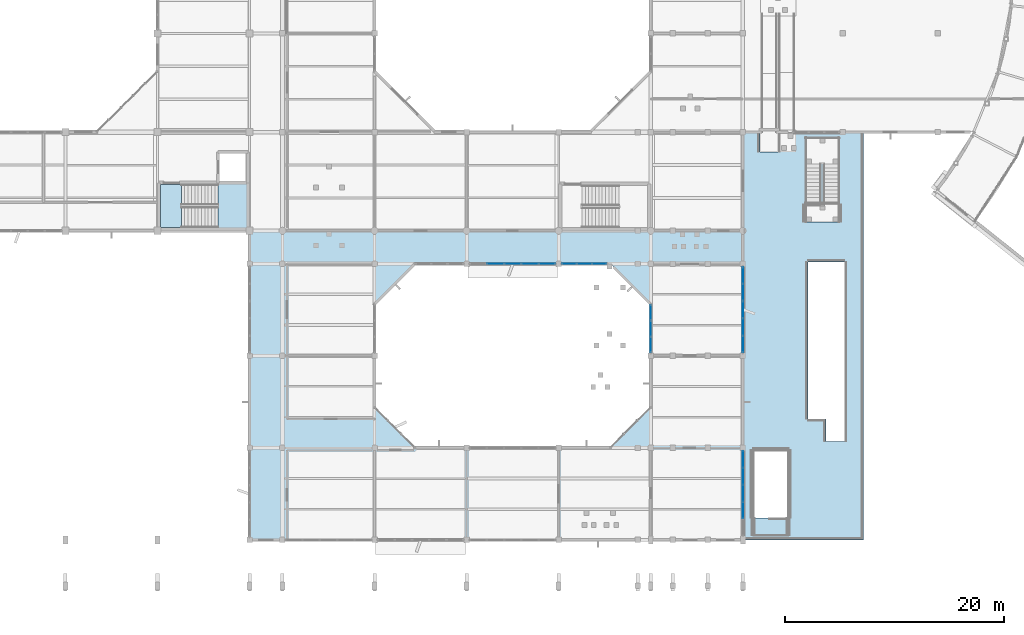
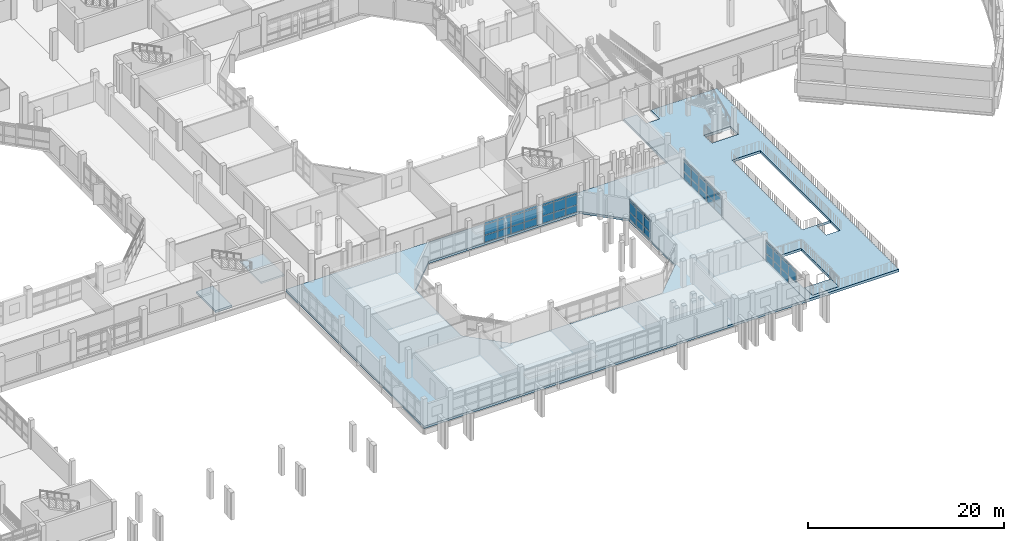
# One storey, part 55 of 104: 56 plates, 5 slabs, 6 elements without a shape of their own.
"""IFC4 building model written with IfcOpenShell, lengths in metres."""

from ifc_helpers import new_model, si_unit, direction, frame, origin, origin_2d, place, context, subcontext, project, spatial, polyline, rectangle, outline, extrude, material, layer, layer_set, type_object, element, aggregate, save


model = new_model("IFC4")

# Units and contexts
model_context = context("Model", 3, precision=1e-05, world=origin(), true_north=direction((0.0, 1.0)))
body_context = subcontext(model_context, "Body", "Model", "MODEL_VIEW")
ifc_project = project(units=[si_unit("LENGTHUNIT", "METRE"), si_unit("AREAUNIT", "SQUARE_METRE"), si_unit("VOLUMEUNIT", "CUBIC_METRE"), si_unit("PLANEANGLEUNIT", "RADIAN"), si_unit("MASSUNIT", "GRAM", prefix="KILO")], contexts=[model_context])

# Site, building, storey
site_placement = place(None, origin())
site = spatial("IfcSite", under=ifc_project, at=site_placement, CompositionType="ELEMENT")
building_placement = place(site_placement, origin())
building = spatial("IfcBuilding", under=site, at=building_placement, Name="Vanh Quang Courtyard School", CompositionType="ELEMENT")
storey_placement = place(building_placement, frame((0.0, 0.0, 4.199951171875)))
storey = spatial("IfcBuildingStorey", under=building, at=storey_placement, Name="L01", CompositionType="ELEMENT", Elevation=4.199951171875)

# Curtain wall, plates
ifc_material_1 = material(Name="Thermally broken aluminium unitised curtain wall", Category="aluminium")
curtain_wall_type_1 = type_object("IfcCurtainWallType", Name="CW-SYS-24", PredefinedType="NOTDEFINED", material=ifc_material_1)
curtain_wall_1_placement = place(storey_placement, origin())
curtain_wall_1 = element("IfcCurtainWall", 1, at=curtain_wall_1_placement, inside=storey, type_object=curtain_wall_type_1, Name="Curtain Wall CW-24 (L01)", PredefinedType="NOTDEFINED")
ifc_material_2 = material(Name="Low-E laminated double glazing", Category="glass")
ifc_layer_1 = layer(ifc_material_2, 0.028076171875)
ifc_layer_set_1 = layer_set([ifc_layer_1], Name="Low-E laminated double glazing")
plate_type_1 = type_object("IfcPlateType", Name="CW-PNL-28", PredefinedType="CURTAIN_PANEL", material=ifc_layer_set_1)
plate_1_placement = place(storey_placement, frame((119.39990234375, 11.551025390625, 0.06005859375), z_axis=(0.0, 0.0, 1.0), x_axis=(0.0, -1.0, 0.0)))
plate_1 = element("IfcPlate", 2, at=plate_1_placement, type_object=plate_type_1, Name="CW-24 panel 1.1", PredefinedType="CURTAIN_PANEL", context=body_context, shape_type="SweptSolid", body=[
    extrude(rectangle(XDim=1.4619140625, YDim=0.028076171875, at=origin_2d()), origin(), (0.0, 0.0, 1.0), 0.860107421875),
])
plate_2_placement = place(storey_placement, frame((119.39990234375, 11.551025390625, 0.97998046875), z_axis=(0.0, 0.0, 1.0), x_axis=(0.0, -1.0, 0.0)))
plate_2 = element("IfcPlate", 3, at=plate_2_placement, type_object=plate_type_1, Name="CW-24 panel 1.2", PredefinedType="CURTAIN_PANEL", context=body_context, shape_type="SweptSolid", body=[
    extrude(rectangle(XDim=1.4619140625, YDim=0.028076171875, at=origin_2d()), origin(), (0.0, 0.0, 1.0), 1.239990234375),
])
plate_3_placement = place(storey_placement, frame((119.39990234375, 11.551025390625, 2.2802734375), z_axis=(0.0, 0.0, 1.0), x_axis=(0.0, -1.0, 0.0)))
plate_3 = element("IfcPlate", 4, at=plate_3_placement, type_object=plate_type_1, Name="CW-24 panel 1.3", PredefinedType="CURTAIN_PANEL", context=body_context, shape_type="SweptSolid", body=[
    extrude(rectangle(XDim=1.4619140625, YDim=0.028076171875, at=origin_2d()), origin(), (0.0, 0.0, 1.0), 0.239990234375),
])
plate_4_placement = place(storey_placement, frame((119.39990234375, 10.014404296875, 0.06005859375), z_axis=(0.0, 0.0, 1.0), x_axis=(0.0, -1.0, 0.0)))
plate_4 = element("IfcPlate", 5, at=plate_4_placement, type_object=plate_type_1, Name="CW-24 panel 2.1", PredefinedType="CURTAIN_PANEL", context=body_context, shape_type="SweptSolid", body=[
    extrude(rectangle(XDim=1.49169921875, YDim=0.028076171875, at=origin_2d()), origin(), (0.0, 0.0, 1.0), 0.860107421875),
])
plate_5_placement = place(storey_placement, frame((119.39990234375, 10.014404296875, 0.97998046875), z_axis=(0.0, 0.0, 1.0), x_axis=(0.0, -1.0, 0.0)))
plate_5 = element("IfcPlate", 6, at=plate_5_placement, type_object=plate_type_1, Name="CW-24 panel 2.2", PredefinedType="CURTAIN_PANEL", context=body_context, shape_type="SweptSolid", body=[
    extrude(rectangle(XDim=1.49169921875, YDim=0.028076171875, at=origin_2d()), origin(), (0.0, 0.0, 1.0), 1.239990234375),
])
plate_6_placement = place(storey_placement, frame((119.39990234375, 10.014404296875, 2.2802734375), z_axis=(0.0, 0.0, 1.0), x_axis=(0.0, -1.0, 0.0)))
plate_6 = element("IfcPlate", 7, at=plate_6_placement, type_object=plate_type_1, Name="CW-24 panel 2.3", PredefinedType="CURTAIN_PANEL", context=body_context, shape_type="SweptSolid", body=[
    extrude(rectangle(XDim=1.49169921875, YDim=0.028076171875, at=origin_2d()), origin(), (0.0, 0.0, 1.0), 0.239990234375),
])
plate_7_placement = place(storey_placement, frame((119.39990234375, 8.46240234375, 0.06005859375), z_axis=(0.0, 0.0, 1.0), x_axis=(0.0, -1.0, 0.0)))
plate_7 = element("IfcPlate", 8, at=plate_7_placement, type_object=plate_type_1, Name="CW-24 panel 3.1", PredefinedType="CURTAIN_PANEL", context=body_context, shape_type="SweptSolid", body=[
    extrude(rectangle(XDim=1.49169921875, YDim=0.028076171875, at=origin_2d()), origin(), (0.0, 0.0, 1.0), 0.860107421875),
])
plate_8_placement = place(storey_placement, frame((119.39990234375, 8.46240234375, 0.97998046875), z_axis=(0.0, 0.0, 1.0), x_axis=(0.0, -1.0, 0.0)))
plate_8 = element("IfcPlate", 9, at=plate_8_placement, type_object=plate_type_1, Name="CW-24 panel 3.2", PredefinedType="CURTAIN_PANEL", context=body_context, shape_type="SweptSolid", body=[
    extrude(rectangle(XDim=1.49169921875, YDim=0.028076171875, at=origin_2d()), origin(), (0.0, 0.0, 1.0), 1.239990234375),
])
plate_9_placement = place(storey_placement, frame((119.39990234375, 8.46240234375, 2.2802734375), z_axis=(0.0, 0.0, 1.0), x_axis=(0.0, -1.0, 0.0)))
plate_9 = element("IfcPlate", 10, at=plate_9_placement, type_object=plate_type_1, Name="CW-24 panel 3.3", PredefinedType="CURTAIN_PANEL", context=body_context, shape_type="SweptSolid", body=[
    extrude(rectangle(XDim=1.49169921875, YDim=0.028076171875, at=origin_2d()), origin(), (0.0, 0.0, 1.0), 0.239990234375),
])
plate_10_placement = place(storey_placement, frame((119.39990234375, 6.91064453125, 0.97998046875), z_axis=(0.0, 0.0, 1.0), x_axis=(0.0, -1.0, 0.0)))
plate_10 = element("IfcPlate", 11, at=plate_10_placement, type_object=plate_type_1, Name="CW-24 panel 4.2", PredefinedType="CURTAIN_PANEL", context=body_context, shape_type="SweptSolid", body=[
    extrude(rectangle(XDim=1.49169921875, YDim=0.028076171875, at=origin_2d()), origin(), (0.0, 0.0, 1.0), 1.239990234375),
])
plate_11_placement = place(storey_placement, frame((119.39990234375, 6.91064453125, 2.2802734375), z_axis=(0.0, 0.0, 1.0), x_axis=(0.0, -1.0, 0.0)))
plate_11 = element("IfcPlate", 12, at=plate_11_placement, type_object=plate_type_1, Name="CW-24 panel 4.3", PredefinedType="CURTAIN_PANEL", context=body_context, shape_type="SweptSolid", body=[
    extrude(rectangle(XDim=1.49169921875, YDim=0.028076171875, at=origin_2d()), origin(), (0.0, 0.0, 1.0), 0.239990234375),
])
aggregate(curtain_wall_1, [plate_1, plate_2, plate_3, plate_4, plate_5, plate_6, plate_7, plate_8, plate_9, plate_10, plate_11])

curtain_wall_type_2 = type_object("IfcCurtainWallType", Name="CW-SYS-39", PredefinedType="NOTDEFINED", material=ifc_material_1)
curtain_wall_2_placement = place(storey_placement, origin())
curtain_wall_2 = element("IfcCurtainWall", 13, at=curtain_wall_2_placement, inside=storey, type_object=curtain_wall_type_2, Name="Curtain Wall CW-39 (L01)", PredefinedType="NOTDEFINED")
plate_12_placement = place(storey_placement, frame((106.308837890625, 29.39990234375, 0.06005859375), z_axis=(0.0, 0.0, 1.0), x_axis=(-1.0, 0.0, 0.0)))
plate_12 = element("IfcPlate", 14, at=plate_12_placement, type_object=plate_type_1, Name="CW-39 panel 1.1", PredefinedType="CURTAIN_PANEL", context=body_context, shape_type="SweptSolid", body=[
    extrude(rectangle(XDim=1.29638671875, YDim=0.028076171875, at=origin_2d()), origin(), (0.0, 0.0, 1.0), 0.860107421875),
])
plate_13_placement = place(storey_placement, frame((106.308837890625, 29.39990234375, 0.97998046875), z_axis=(0.0, 0.0, 1.0), x_axis=(-1.0, 0.0, 0.0)))
plate_13 = element("IfcPlate", 15, at=plate_13_placement, type_object=plate_type_1, Name="CW-39 panel 1.2", PredefinedType="CURTAIN_PANEL", context=body_context, shape_type="SweptSolid", body=[
    extrude(rectangle(XDim=1.29638671875, YDim=0.028076171875, at=origin_2d()), origin(), (0.0, 0.0, 1.0), 1.239990234375),
])
plate_14_placement = place(storey_placement, frame((106.308837890625, 29.39990234375, 2.2802734375), z_axis=(0.0, 0.0, 1.0), x_axis=(-1.0, 0.0, 0.0)))
plate_14 = element("IfcPlate", 16, at=plate_14_placement, type_object=plate_type_1, Name="CW-39 panel 1.3", PredefinedType="CURTAIN_PANEL", context=body_context, shape_type="SweptSolid", body=[
    extrude(rectangle(XDim=1.29638671875, YDim=0.028076171875, at=origin_2d()), origin(), (0.0, 0.0, 1.0), 0.239990234375),
])
plate_15_placement = place(storey_placement, frame((104.9375, 29.39990234375, 0.06005859375), z_axis=(0.0, 0.0, 1.0), x_axis=(-1.0, 0.0, 0.0)))
plate_15 = element("IfcPlate", 17, at=plate_15_placement, type_object=plate_type_1, Name="CW-39 panel 2.1", PredefinedType="CURTAIN_PANEL", context=body_context, shape_type="SweptSolid", body=[
    extrude(rectangle(XDim=1.326416015625, YDim=0.028076171875, at=origin_2d()), origin(), (0.0, 0.0, 1.0), 0.860107421875),
])
plate_16_placement = place(storey_placement, frame((104.9375, 29.39990234375, 0.97998046875), z_axis=(0.0, 0.0, 1.0), x_axis=(-1.0, 0.0, 0.0)))
plate_16 = element("IfcPlate", 18, at=plate_16_placement, type_object=plate_type_1, Name="CW-39 panel 2.2", PredefinedType="CURTAIN_PANEL", context=body_context, shape_type="SweptSolid", body=[
    extrude(rectangle(XDim=1.326416015625, YDim=0.028076171875, at=origin_2d()), origin(), (0.0, 0.0, 1.0), 1.239990234375),
])
plate_17_placement = place(storey_placement, frame((104.9375, 29.39990234375, 2.2802734375), z_axis=(0.0, 0.0, 1.0), x_axis=(-1.0, 0.0, 0.0)))
plate_17 = element("IfcPlate", 19, at=plate_17_placement, type_object=plate_type_1, Name="CW-39 panel 2.3", PredefinedType="CURTAIN_PANEL", context=body_context, shape_type="SweptSolid", body=[
    extrude(rectangle(XDim=1.326416015625, YDim=0.028076171875, at=origin_2d()), origin(), (0.0, 0.0, 1.0), 0.239990234375),
])
plate_18_placement = place(storey_placement, frame((103.566162109375, 29.39990234375, 0.06005859375), z_axis=(0.0, 0.0, 1.0), x_axis=(-1.0, 0.0, 0.0)))
plate_18 = element("IfcPlate", 20, at=plate_18_placement, type_object=plate_type_1, Name="CW-39 panel 3.1", PredefinedType="CURTAIN_PANEL", context=body_context, shape_type="SweptSolid", body=[
    extrude(rectangle(XDim=1.29638671875, YDim=0.028076171875, at=origin_2d()), origin(), (0.0, 0.0, 1.0), 0.860107421875),
])
plate_19_placement = place(storey_placement, frame((103.566162109375, 29.39990234375, 0.97998046875), z_axis=(0.0, 0.0, 1.0), x_axis=(-1.0, 0.0, 0.0)))
plate_19 = element("IfcPlate", 21, at=plate_19_placement, type_object=plate_type_1, Name="CW-39 panel 3.2", PredefinedType="CURTAIN_PANEL", context=body_context, shape_type="SweptSolid", body=[
    extrude(rectangle(XDim=1.29638671875, YDim=0.028076171875, at=origin_2d()), origin(), (0.0, 0.0, 1.0), 1.239990234375),
])
plate_20_placement = place(storey_placement, frame((103.566162109375, 29.39990234375, 2.2802734375), z_axis=(0.0, 0.0, 1.0), x_axis=(-1.0, 0.0, 0.0)))
plate_20 = element("IfcPlate", 22, at=plate_20_placement, type_object=plate_type_1, Name="CW-39 panel 3.3", PredefinedType="CURTAIN_PANEL", context=body_context, shape_type="SweptSolid", body=[
    extrude(rectangle(XDim=1.29638671875, YDim=0.028076171875, at=origin_2d()), origin(), (0.0, 0.0, 1.0), 0.239990234375),
])
aggregate(curtain_wall_2, [plate_12, plate_13, plate_14, plate_15, plate_16, plate_17, plate_18, plate_19, plate_20])

curtain_wall_type_3 = type_object("IfcCurtainWallType", Name="CW-SYS-19", PredefinedType="NOTDEFINED", material=ifc_material_1)
curtain_wall_3_placement = place(storey_placement, origin())
curtain_wall_3 = element("IfcCurtainWall", 23, at=curtain_wall_3_placement, inside=storey, type_object=curtain_wall_type_3, Name="Curtain Wall CW-19 (L01)", PredefinedType="NOTDEFINED")
ifc_layer_2 = layer(ifc_material_2, 0.031982421875)
ifc_layer_set_2 = layer_set([ifc_layer_2], Name="Low-E laminated double glazing")
plate_type_2 = type_object("IfcPlateType", Name="CW-PNL-32", PredefinedType="CURTAIN_PANEL", material=ifc_layer_set_2)
plate_21_placement = place(storey_placement, frame((119.39990234375, 28.33349609375, 0.080078125), z_axis=(0.0, 0.0, 1.0), x_axis=(0.0, -1.0, 0.0)))
plate_21 = element("IfcPlate", 24, at=plate_21_placement, type_object=plate_type_2, Name="CW-19 panel 1.1", PredefinedType="CURTAIN_PANEL", context=body_context, shape_type="SweptSolid", body=[
    extrude(rectangle(XDim=1.456787109375, YDim=0.031982421875, at=origin_2d()), origin(), (0.0, 0.0, 1.0), 0.830078125),
])
plate_22_placement = place(storey_placement, frame((119.39990234375, 28.33349609375, 0.990234375), z_axis=(0.0, 0.0, 1.0), x_axis=(0.0, -1.0, 0.0)))
plate_22 = element("IfcPlate", 25, at=plate_22_placement, type_object=plate_type_2, Name="CW-19 panel 1.2", PredefinedType="CURTAIN_PANEL", context=body_context, shape_type="SweptSolid", body=[
    extrude(rectangle(XDim=1.456787109375, YDim=0.031982421875, at=origin_2d()), origin(), (0.0, 0.0, 1.0), 1.219970703125),
])
plate_23_placement = place(storey_placement, frame((119.39990234375, 28.33349609375, 2.2900390625), z_axis=(0.0, 0.0, 1.0), x_axis=(0.0, -1.0, 0.0)))
plate_23 = element("IfcPlate", 26, at=plate_23_placement, type_object=plate_type_2, Name="CW-19 panel 1.3", PredefinedType="CURTAIN_PANEL", context=body_context, shape_type="SweptSolid", body=[
    extrude(rectangle(XDim=1.456787109375, YDim=0.031982421875, at=origin_2d()), origin(), (0.0, 0.0, 1.0), 0.2099609375),
])
plate_24_placement = place(storey_placement, frame((119.39990234375, 26.77685546875, 0.080078125), z_axis=(0.0, 0.0, 1.0), x_axis=(0.0, -1.0, 0.0)))
plate_24 = element("IfcPlate", 27, at=plate_24_placement, type_object=plate_type_2, Name="CW-19 panel 2.1", PredefinedType="CURTAIN_PANEL", context=body_context, shape_type="SweptSolid", body=[
    extrude(rectangle(XDim=1.496826171875, YDim=0.031982421875, at=origin_2d()), origin(), (0.0, 0.0, 1.0), 0.830078125),
])
plate_25_placement = place(storey_placement, frame((119.39990234375, 26.77685546875, 0.990234375), z_axis=(0.0, 0.0, 1.0), x_axis=(0.0, -1.0, 0.0)))
plate_25 = element("IfcPlate", 28, at=plate_25_placement, type_object=plate_type_2, Name="CW-19 panel 2.2", PredefinedType="CURTAIN_PANEL", context=body_context, shape_type="SweptSolid", body=[
    extrude(rectangle(XDim=1.496826171875, YDim=0.031982421875, at=origin_2d()), origin(), (0.0, 0.0, 1.0), 1.219970703125),
])
plate_26_placement = place(storey_placement, frame((119.39990234375, 26.77685546875, 2.2900390625), z_axis=(0.0, 0.0, 1.0), x_axis=(0.0, -1.0, 0.0)))
plate_26 = element("IfcPlate", 29, at=plate_26_placement, type_object=plate_type_2, Name="CW-19 panel 2.3", PredefinedType="CURTAIN_PANEL", context=body_context, shape_type="SweptSolid", body=[
    extrude(rectangle(XDim=1.496826171875, YDim=0.031982421875, at=origin_2d()), origin(), (0.0, 0.0, 1.0), 0.2099609375),
])
plate_27_placement = place(storey_placement, frame((119.39990234375, 25.199951171875, 0.080078125), z_axis=(0.0, 0.0, 1.0), x_axis=(0.0, -1.0, 0.0)))
plate_27 = element("IfcPlate", 30, at=plate_27_placement, type_object=plate_type_2, Name="CW-19 panel 3.1", PredefinedType="CURTAIN_PANEL", context=body_context, shape_type="SweptSolid", body=[
    extrude(rectangle(XDim=1.496826171875, YDim=0.031982421875, at=origin_2d()), origin(), (0.0, 0.0, 1.0), 0.830078125),
])
plate_28_placement = place(storey_placement, frame((119.39990234375, 25.199951171875, 0.990234375), z_axis=(0.0, 0.0, 1.0), x_axis=(0.0, -1.0, 0.0)))
plate_28 = element("IfcPlate", 31, at=plate_28_placement, type_object=plate_type_2, Name="CW-19 panel 3.2", PredefinedType="CURTAIN_PANEL", context=body_context, shape_type="SweptSolid", body=[
    extrude(rectangle(XDim=1.496826171875, YDim=0.031982421875, at=origin_2d()), origin(), (0.0, 0.0, 1.0), 1.219970703125),
])
plate_29_placement = place(storey_placement, frame((119.39990234375, 25.199951171875, 2.2900390625), z_axis=(0.0, 0.0, 1.0), x_axis=(0.0, -1.0, 0.0)))
plate_29 = element("IfcPlate", 32, at=plate_29_placement, type_object=plate_type_2, Name="CW-19 panel 3.3", PredefinedType="CURTAIN_PANEL", context=body_context, shape_type="SweptSolid", body=[
    extrude(rectangle(XDim=1.496826171875, YDim=0.031982421875, at=origin_2d()), origin(), (0.0, 0.0, 1.0), 0.2099609375),
])
plate_30_placement = place(storey_placement, frame((119.39990234375, 23.623291015625, 0.080078125), z_axis=(0.0, 0.0, 1.0), x_axis=(0.0, -1.0, 0.0)))
plate_30 = element("IfcPlate", 33, at=plate_30_placement, type_object=plate_type_2, Name="CW-19 panel 4.1", PredefinedType="CURTAIN_PANEL", context=body_context, shape_type="SweptSolid", body=[
    extrude(rectangle(XDim=1.496826171875, YDim=0.031982421875, at=origin_2d()), origin(), (0.0, 0.0, 1.0), 0.830078125),
])
plate_31_placement = place(storey_placement, frame((119.39990234375, 23.623291015625, 0.990234375), z_axis=(0.0, 0.0, 1.0), x_axis=(0.0, -1.0, 0.0)))
plate_31 = element("IfcPlate", 34, at=plate_31_placement, type_object=plate_type_2, Name="CW-19 panel 4.2", PredefinedType="CURTAIN_PANEL", context=body_context, shape_type="SweptSolid", body=[
    extrude(rectangle(XDim=1.496826171875, YDim=0.031982421875, at=origin_2d()), origin(), (0.0, 0.0, 1.0), 1.219970703125),
])
plate_32_placement = place(storey_placement, frame((119.39990234375, 23.623291015625, 2.2900390625), z_axis=(0.0, 0.0, 1.0), x_axis=(0.0, -1.0, 0.0)))
plate_32 = element("IfcPlate", 35, at=plate_32_placement, type_object=plate_type_2, Name="CW-19 panel 4.3", PredefinedType="CURTAIN_PANEL", context=body_context, shape_type="SweptSolid", body=[
    extrude(rectangle(XDim=1.496826171875, YDim=0.031982421875, at=origin_2d()), origin(), (0.0, 0.0, 1.0), 0.2099609375),
])
plate_33_placement = place(storey_placement, frame((119.39990234375, 22.06640625, 0.080078125), z_axis=(0.0, 0.0, 1.0), x_axis=(0.0, -1.0, 0.0)))
plate_33 = element("IfcPlate", 36, at=plate_33_placement, type_object=plate_type_2, Name="CW-19 panel 5.1", PredefinedType="CURTAIN_PANEL", context=body_context, shape_type="SweptSolid", body=[
    extrude(rectangle(XDim=1.456787109375, YDim=0.031982421875, at=origin_2d()), origin(), (0.0, 0.0, 1.0), 0.830078125),
])
plate_34_placement = place(storey_placement, frame((119.39990234375, 22.06640625, 0.990234375), z_axis=(0.0, 0.0, 1.0), x_axis=(0.0, -1.0, 0.0)))
plate_34 = element("IfcPlate", 37, at=plate_34_placement, type_object=plate_type_2, Name="CW-19 panel 5.2", PredefinedType="CURTAIN_PANEL", context=body_context, shape_type="SweptSolid", body=[
    extrude(rectangle(XDim=1.456787109375, YDim=0.031982421875, at=origin_2d()), origin(), (0.0, 0.0, 1.0), 1.219970703125),
])
plate_35_placement = place(storey_placement, frame((119.39990234375, 22.06640625, 2.2900390625), z_axis=(0.0, 0.0, 1.0), x_axis=(0.0, -1.0, 0.0)))
plate_35 = element("IfcPlate", 38, at=plate_35_placement, type_object=plate_type_2, Name="CW-19 panel 5.3", PredefinedType="CURTAIN_PANEL", context=body_context, shape_type="SweptSolid", body=[
    extrude(rectangle(XDim=1.456787109375, YDim=0.031982421875, at=origin_2d()), origin(), (0.0, 0.0, 1.0), 0.2099609375),
])
aggregate(curtain_wall_3, [plate_21, plate_22, plate_23, plate_24, plate_25, plate_26, plate_27, plate_28, plate_29, plate_30, plate_31, plate_32, plate_33, plate_34, plate_35])

curtain_wall_type_4 = type_object("IfcCurtainWallType", Name="CW-SYS-38", PredefinedType="NOTDEFINED", material=ifc_material_1)
curtain_wall_4_placement = place(storey_placement, origin())
curtain_wall_4 = element("IfcCurtainWall", 39, at=curtain_wall_4_placement, inside=storey, type_object=curtain_wall_type_4, Name="Curtain Wall CW-38 (L01)", PredefinedType="NOTDEFINED")
plate_36_placement = place(storey_placement, frame((111.0, 22.01904296875, 0.080078125), z_axis=(0.0, 0.0, 1.0), x_axis=(0.0, 1.0, 0.0)))
plate_36 = element("IfcPlate", 40, at=plate_36_placement, type_object=plate_type_2, Name="CW-38 panel 1.1", PredefinedType="CURTAIN_PANEL", context=body_context, shape_type="SweptSolid", body=[
    extrude(rectangle(XDim=1.362060546875, YDim=0.031982421875, at=origin_2d()), origin(), (0.0, 0.0, 1.0), 0.830078125),
])
plate_37_placement = place(storey_placement, frame((111.0, 22.01904296875, 0.990234375), z_axis=(0.0, 0.0, 1.0), x_axis=(0.0, 1.0, 0.0)))
plate_37 = element("IfcPlate", 41, at=plate_37_placement, type_object=plate_type_2, Name="CW-38 panel 1.2", PredefinedType="CURTAIN_PANEL", context=body_context, shape_type="SweptSolid", body=[
    extrude(rectangle(XDim=1.362060546875, YDim=0.031982421875, at=origin_2d()), origin(), (0.0, 0.0, 1.0), 1.219970703125),
])
plate_38_placement = place(storey_placement, frame((111.0, 22.01904296875, 2.2900390625), z_axis=(0.0, 0.0, 1.0), x_axis=(0.0, 1.0, 0.0)))
plate_38 = element("IfcPlate", 42, at=plate_38_placement, type_object=plate_type_2, Name="CW-38 panel 1.3", PredefinedType="CURTAIN_PANEL", context=body_context, shape_type="SweptSolid", body=[
    extrude(rectangle(XDim=1.362060546875, YDim=0.031982421875, at=origin_2d()), origin(), (0.0, 0.0, 1.0), 0.2099609375),
])
plate_39_placement = place(storey_placement, frame((111.0, 23.48095703125, 0.080078125), z_axis=(0.0, 0.0, 1.0), x_axis=(0.0, 1.0, 0.0)))
plate_39 = element("IfcPlate", 43, at=plate_39_placement, type_object=plate_type_2, Name="CW-38 panel 2.1", PredefinedType="CURTAIN_PANEL", context=body_context, shape_type="SweptSolid", body=[
    extrude(rectangle(XDim=1.402099609375, YDim=0.031982421875, at=origin_2d()), origin(), (0.0, 0.0, 1.0), 0.830078125),
])
plate_40_placement = place(storey_placement, frame((111.0, 23.48095703125, 0.990234375), z_axis=(0.0, 0.0, 1.0), x_axis=(0.0, 1.0, 0.0)))
plate_40 = element("IfcPlate", 44, at=plate_40_placement, type_object=plate_type_2, Name="CW-38 panel 2.2", PredefinedType="CURTAIN_PANEL", context=body_context, shape_type="SweptSolid", body=[
    extrude(rectangle(XDim=1.402099609375, YDim=0.031982421875, at=origin_2d()), origin(), (0.0, 0.0, 1.0), 1.219970703125),
])
plate_41_placement = place(storey_placement, frame((111.0, 23.48095703125, 2.2900390625), z_axis=(0.0, 0.0, 1.0), x_axis=(0.0, 1.0, 0.0)))
plate_41 = element("IfcPlate", 45, at=plate_41_placement, type_object=plate_type_2, Name="CW-38 panel 2.3", PredefinedType="CURTAIN_PANEL", context=body_context, shape_type="SweptSolid", body=[
    extrude(rectangle(XDim=1.402099609375, YDim=0.031982421875, at=origin_2d()), origin(), (0.0, 0.0, 1.0), 0.2099609375),
])
plate_42_placement = place(storey_placement, frame((111.0, 24.943115234375, 0.080078125), z_axis=(0.0, 0.0, 1.0), x_axis=(0.0, 1.0, 0.0)))
plate_42 = element("IfcPlate", 46, at=plate_42_placement, type_object=plate_type_2, Name="CW-38 panel 3.1", PredefinedType="CURTAIN_PANEL", context=body_context, shape_type="SweptSolid", body=[
    extrude(rectangle(XDim=1.362060546875, YDim=0.031982421875, at=origin_2d()), origin(), (0.0, 0.0, 1.0), 0.830078125),
])
plate_43_placement = place(storey_placement, frame((111.0, 24.943115234375, 0.990234375), z_axis=(0.0, 0.0, 1.0), x_axis=(0.0, 1.0, 0.0)))
plate_43 = element("IfcPlate", 47, at=plate_43_placement, type_object=plate_type_2, Name="CW-38 panel 3.2", PredefinedType="CURTAIN_PANEL", context=body_context, shape_type="SweptSolid", body=[
    extrude(rectangle(XDim=1.362060546875, YDim=0.031982421875, at=origin_2d()), origin(), (0.0, 0.0, 1.0), 1.219970703125),
])
plate_44_placement = place(storey_placement, frame((111.0, 24.943115234375, 2.2900390625), z_axis=(0.0, 0.0, 1.0), x_axis=(0.0, 1.0, 0.0)))
plate_44 = element("IfcPlate", 48, at=plate_44_placement, type_object=plate_type_2, Name="CW-38 panel 3.3", PredefinedType="CURTAIN_PANEL", context=body_context, shape_type="SweptSolid", body=[
    extrude(rectangle(XDim=1.362060546875, YDim=0.031982421875, at=origin_2d()), origin(), (0.0, 0.0, 1.0), 0.2099609375),
])
aggregate(curtain_wall_4, [plate_36, plate_37, plate_38, plate_39, plate_40, plate_41, plate_42, plate_43, plate_44])

curtain_wall_5_placement = place(storey_placement, origin())
curtain_wall_5 = element("IfcCurtainWall", 49, at=curtain_wall_5_placement, inside=storey, type_object=curtain_wall_type_3, Name="Curtain Wall CW-19 (L01)", PredefinedType="NOTDEFINED")
plate_45_placement = place(storey_placement, frame((101.5361328125, 29.39990234375, 0.06982421875), z_axis=(0.0, 0.0, 1.0), x_axis=(-1.0, 0.0, 0.0)))
plate_45 = element("IfcPlate", 50, at=plate_45_placement, type_object=plate_type_2, Name="CW-19 panel 1.1", PredefinedType="CURTAIN_PANEL", context=body_context, shape_type="SweptSolid", body=[
    extrude(rectangle(XDim=1.4716796875, YDim=0.031982421875, at=origin_2d()), origin(), (0.0, 0.0, 1.0), 0.844970703125),
])
plate_46_placement = place(storey_placement, frame((101.5361328125, 29.39990234375, 0.985107421875), z_axis=(0.0, 0.0, 1.0), x_axis=(-1.0, 0.0, 0.0)))
plate_46 = element("IfcPlate", 51, at=plate_46_placement, type_object=plate_type_2, Name="CW-19 panel 1.2", PredefinedType="CURTAIN_PANEL", context=body_context, shape_type="SweptSolid", body=[
    extrude(rectangle(XDim=1.4716796875, YDim=0.031982421875, at=origin_2d()), origin(), (0.0, 0.0, 1.0), 1.22998046875),
])
plate_47_placement = place(storey_placement, frame((101.5361328125, 29.39990234375, 2.28515625), z_axis=(0.0, 0.0, 1.0), x_axis=(-1.0, 0.0, 0.0)))
plate_47 = element("IfcPlate", 52, at=plate_47_placement, type_object=plate_type_2, Name="CW-19 panel 1.3", PredefinedType="CURTAIN_PANEL", context=body_context, shape_type="SweptSolid", body=[
    extrude(rectangle(XDim=1.4716796875, YDim=0.031982421875, at=origin_2d()), origin(), (0.0, 0.0, 1.0), 0.264892578125),
])
plate_48_placement = place(storey_placement, frame((99.976806640625, 29.39990234375, 0.06982421875), z_axis=(0.0, 0.0, 1.0), x_axis=(-1.0, 0.0, 0.0)))
plate_48 = element("IfcPlate", 53, at=plate_48_placement, type_object=plate_type_2, Name="CW-19 panel 2.1", PredefinedType="CURTAIN_PANEL", context=body_context, shape_type="SweptSolid", body=[
    extrude(rectangle(XDim=1.5068359375, YDim=0.031982421875, at=origin_2d()), origin(), (0.0, 0.0, 1.0), 0.844970703125),
])
plate_49_placement = place(storey_placement, frame((99.976806640625, 29.39990234375, 0.985107421875), z_axis=(0.0, 0.0, 1.0), x_axis=(-1.0, 0.0, 0.0)))
plate_49 = element("IfcPlate", 54, at=plate_49_placement, type_object=plate_type_2, Name="CW-19 panel 2.2", PredefinedType="CURTAIN_PANEL", context=body_context, shape_type="SweptSolid", body=[
    extrude(rectangle(XDim=1.5068359375, YDim=0.031982421875, at=origin_2d()), origin(), (0.0, 0.0, 1.0), 1.22998046875),
])
plate_50_placement = place(storey_placement, frame((99.976806640625, 29.39990234375, 2.28515625), z_axis=(0.0, 0.0, 1.0), x_axis=(-1.0, 0.0, 0.0)))
plate_50 = element("IfcPlate", 55, at=plate_50_placement, type_object=plate_type_2, Name="CW-19 panel 2.3", PredefinedType="CURTAIN_PANEL", context=body_context, shape_type="SweptSolid", body=[
    extrude(rectangle(XDim=1.5068359375, YDim=0.031982421875, at=origin_2d()), origin(), (0.0, 0.0, 1.0), 0.264892578125),
])
plate_51_placement = place(storey_placement, frame((98.39990234375, 29.39990234375, 0.06982421875), z_axis=(0.0, 0.0, 1.0), x_axis=(-1.0, 0.0, 0.0)))
plate_51 = element("IfcPlate", 56, at=plate_51_placement, type_object=plate_type_2, Name="CW-19 panel 3.1", PredefinedType="CURTAIN_PANEL", context=body_context, shape_type="SweptSolid", body=[
    extrude(rectangle(XDim=1.5068359375, YDim=0.031982421875, at=origin_2d()), origin(), (0.0, 0.0, 1.0), 0.844970703125),
])
plate_52_placement = place(storey_placement, frame((98.39990234375, 29.39990234375, 0.985107421875), z_axis=(0.0, 0.0, 1.0), x_axis=(-1.0, 0.0, 0.0)))
plate_52 = element("IfcPlate", 57, at=plate_52_placement, type_object=plate_type_2, Name="CW-19 panel 3.2", PredefinedType="CURTAIN_PANEL", context=body_context, shape_type="SweptSolid", body=[
    extrude(rectangle(XDim=1.5068359375, YDim=0.031982421875, at=origin_2d()), origin(), (0.0, 0.0, 1.0), 1.22998046875),
])
plate_53_placement = place(storey_placement, frame((98.39990234375, 29.39990234375, 2.28515625), z_axis=(0.0, 0.0, 1.0), x_axis=(-1.0, 0.0, 0.0)))
plate_53 = element("IfcPlate", 58, at=plate_53_placement, type_object=plate_type_2, Name="CW-19 panel 3.3", PredefinedType="CURTAIN_PANEL", context=body_context, shape_type="SweptSolid", body=[
    extrude(rectangle(XDim=1.5068359375, YDim=0.031982421875, at=origin_2d()), origin(), (0.0, 0.0, 1.0), 0.264892578125),
])
plate_54_placement = place(storey_placement, frame((96.8232421875, 29.39990234375, 0.06982421875), z_axis=(0.0, 0.0, 1.0), x_axis=(-1.0, 0.0, 0.0)))
plate_54 = element("IfcPlate", 59, at=plate_54_placement, type_object=plate_type_2, Name="CW-19 panel 4.1", PredefinedType="CURTAIN_PANEL", context=body_context, shape_type="SweptSolid", body=[
    extrude(rectangle(XDim=1.5068359375, YDim=0.031982421875, at=origin_2d()), origin(), (0.0, 0.0, 1.0), 0.844970703125),
])
plate_55_placement = place(storey_placement, frame((96.8232421875, 29.39990234375, 0.985107421875), z_axis=(0.0, 0.0, 1.0), x_axis=(-1.0, 0.0, 0.0)))
plate_55 = element("IfcPlate", 60, at=plate_55_placement, type_object=plate_type_2, Name="CW-19 panel 4.2", PredefinedType="CURTAIN_PANEL", context=body_context, shape_type="SweptSolid", body=[
    extrude(rectangle(XDim=1.5068359375, YDim=0.031982421875, at=origin_2d()), origin(), (0.0, 0.0, 1.0), 1.22998046875),
])
plate_56_placement = place(storey_placement, frame((96.8232421875, 29.39990234375, 2.28515625), z_axis=(0.0, 0.0, 1.0), x_axis=(-1.0, 0.0, 0.0)))
plate_56 = element("IfcPlate", 61, at=plate_56_placement, type_object=plate_type_2, Name="CW-19 panel 4.3", PredefinedType="CURTAIN_PANEL", context=body_context, shape_type="SweptSolid", body=[
    extrude(rectangle(XDim=1.5068359375, YDim=0.031982421875, at=origin_2d()), origin(), (0.0, 0.0, 1.0), 0.264892578125),
])
aggregate(curtain_wall_5, [plate_45, plate_46, plate_47, plate_48, plate_49, plate_50, plate_51, plate_52, plate_53, plate_54, plate_55, plate_56])

# Slabs
ifc_material_3 = material(Name="Concrete C30/37", Category="concrete")
ifc_layer_3 = layer(ifc_material_3, 0.280029296875)
ifc_layer_set_3 = layer_set([ifc_layer_3], Name="Concrete C30/37")
slab_type_1 = type_object("IfcSlabType", Name="SLB-FLR-280", PredefinedType="FLOOR", material=ifc_layer_set_3)
slab_1_placement = place(storey_placement, frame((0.0, 0.0, -0.280029296875)))
element("IfcSlab", 62, at=slab_1_placement, inside=storey, type_object=slab_type_1, Name="Slab SF-02 (L01)", PredefinedType="FLOOR", context=body_context, shape_type="SweptSolid", body=[
    extrude(outline(polyline([(119.39990234375, 32.39990234375), (74.39990234375, 32.39990234375), (74.39990234375, 4.199951171875), (119.39990234375, 4.199951171875), (119.39990234375, 32.39990234375)]), holes=[polyline([(111.0, 25.7041015625), (111.0, 16.2958984375), (107.303955078125, 12.60009765625), (89.49609375, 12.60009765625), (85.800048828125, 16.2958984375), (85.800048828125, 25.7041015625), (89.49609375, 29.39990234375), (107.303955078125, 29.39990234375), (111.0, 25.7041015625)])]), origin(), (0.0, 0.0, 1.0), 0.280029296875),
])
slab_2_placement = place(storey_placement, frame((0.0, 0.0, -0.280029296875)))
element("IfcSlab", 63, at=slab_2_placement, inside=storey, type_object=slab_type_1, Name="Slab SF-02 (L01)", PredefinedType="FLOOR", context=body_context, shape_type="SweptSolid", body=[
    extrude(outline(polyline([(68.2099609375, 32.679931640625), (66.280029296875, 32.679931640625), (66.280029296875, 36.639892578125), (68.2099609375, 36.639892578125), (68.2099609375, 32.679931640625)])), origin(), (0.0, 0.0, 1.0), 0.280029296875),
])

# Stair, slab
stair_type = type_object("IfcStairType", Name="STR-CORE-1900", PredefinedType="HALF_TURN_STAIR", material=ifc_material_3)
stair_placement = place(storey_placement, origin())
stair = element("IfcStair", 64, at=stair_placement, inside=storey, type_object=stair_type, Name="L01 ST-04", PredefinedType="HALF_TURN_STAIR")
ifc_layer_4 = layer(ifc_material_3, 0.199951171875)
ifc_layer_set_4 = layer_set([ifc_layer_4], Name="Concrete C30/37")
slab_type_2 = type_object("IfcSlabType", Name="SLB-LND-200", PredefinedType="LANDING", material=ifc_layer_set_4)
slab_3_placement = place(storey_placement, frame((0.0, 0.0, 1.60009765625)))
slab_3 = element("IfcSlab", 65, at=slab_3_placement, type_object=slab_type_2, Name="ST-04 landing 1", PredefinedType="LANDING", context=body_context, shape_type="SweptSolid", body=[
    extrude(outline(polyline([(71.534912109375, 32.52001953125), (74.280029296875, 32.52001953125), (74.280029296875, 36.800048828125), (71.534912109375, 36.800048828125), (71.534912109375, 32.52001953125)])), origin(), (0.0, 0.0, 1.0), 0.199951171875),
])
aggregate(stair, [slab_3])

# Slabs
ifc_material_4 = material(Name="Concrete C35/45", Category="concrete")
ifc_layer_5 = layer(ifc_material_4, 0.320068359375)
ifc_layer_set_5 = layer_set([ifc_layer_5], Name="Concrete C35/45")
slab_type_3 = type_object("IfcSlabType", Name="SLB-PDK-320", PredefinedType="FLOOR", material=ifc_layer_set_5)
slab_4_placement = place(storey_placement, frame((0.0, 0.0, -0.320068359375)))
element("IfcSlab", 66, at=slab_4_placement, inside=storey, type_object=slab_type_3, Name="Slab SP-01 (L01)", PredefinedType="FLOOR", context=body_context, shape_type="SweptSolid", body=[
    extrude(outline(polyline([(119.39990234375, 4.199951171875), (130.39990234375, 4.199951171875), (130.39990234375, 41.39990234375), (122.594970703125, 41.39990234375), (122.594970703125, 39.60009765625), (122.591552734375, 39.590576171875), (122.580078125, 39.5849609375), (121.0, 39.5849609375), (120.989501953125, 39.58935546875), (120.985107421875, 39.60009765625), (120.985107421875, 41.39990234375), (119.39990234375, 41.39990234375), (119.39990234375, 4.199951171875)]), holes=[polyline([(120.389404296875, 4.58935546875), (120.385009765625, 4.60009765625), (120.385009765625, 6.179931640625), (120.388916015625, 6.18994140625), (120.300048828125, 6.18994140625), (120.300048828125, 12.39990234375), (123.60009765625, 12.39990234375), (123.60009765625, 6.18994140625), (123.51123046875, 6.18994140625), (123.514892578125, 6.179931640625), (123.513916015625, 4.59423828125), (123.50830078125, 4.58740234375), (123.5, 4.5849609375), (120.3984375, 4.585205078125), (120.389404296875, 4.58935546875)]), polyline([(127.009521484375, 13.189453125), (127.0048828125, 13.199951171875), (127.0048828125, 15.199951171875), (127.00830078125, 15.20947265625), (127.02001953125, 15.215087890625), (128.639892578125, 15.215087890625), (128.6494140625, 15.211669921875), (128.655029296875, 15.199951171875), (128.655029296875, 13.199951171875), (128.651611328125, 13.1904296875), (128.639892578125, 13.18505859375), (127.02001953125, 13.18505859375), (127.009521484375, 13.189453125)]), polyline([(128.679931640625, 29.550048828125), (128.679931640625, 15.219970703125), (125.35009765625, 15.219970703125), (125.35009765625, 29.550048828125), (128.679931640625, 29.550048828125)]), polyline([(125.08935546875, 33.189453125), (125.0849609375, 33.199951171875), (125.0849609375, 34.780029296875), (125.0869140625, 34.787109375), (125.093017578125, 34.793212890625), (128.199951171875, 34.794921875), (128.208251953125, 34.79248046875), (128.213134765625, 34.787109375), (128.215087890625, 33.199951171875), (128.21240234375, 33.191650390625), (128.20703125, 33.186767578125), (125.10009765625, 33.18505859375), (125.08935546875, 33.189453125)])]), origin(), (0.0, 0.0, 1.0), 0.320068359375),
])
ifc_layer_6 = layer(ifc_material_3, 0.199951171875)
ifc_layer_set_6 = layer_set([ifc_layer_6], Name="Concrete C30/37")
slab_type_4 = type_object("IfcSlabType", Name="SLB-TLND-200", PredefinedType="LANDING", material=ifc_layer_set_6)
slab_5_placement = place(storey_placement, frame((0.0, 0.0, -0.199951171875)))
element("IfcSlab", 67, at=slab_5_placement, inside=storey, type_object=slab_type_4, Name="Slab SL-02 (L01)", PredefinedType="LANDING", context=body_context, shape_type="SweptSolid", body=[
    extrude(outline(polyline([(120.39990234375, 4.60009765625), (123.5, 4.60009765625), (123.5, 6.179931640625), (120.39990234375, 6.179931640625), (120.39990234375, 4.60009765625)])), origin(), (0.0, 0.0, 1.0), 0.199951171875),
])

save(model, "model.ifc")
